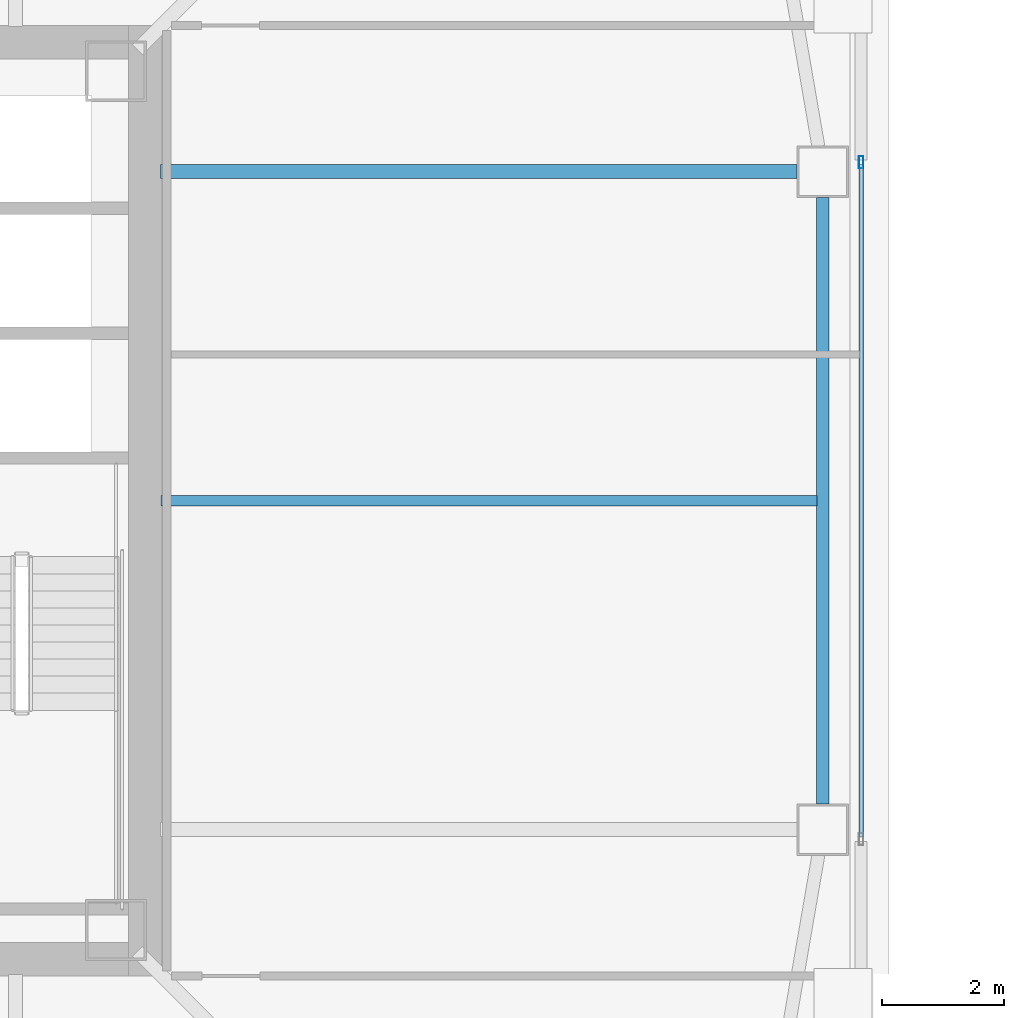
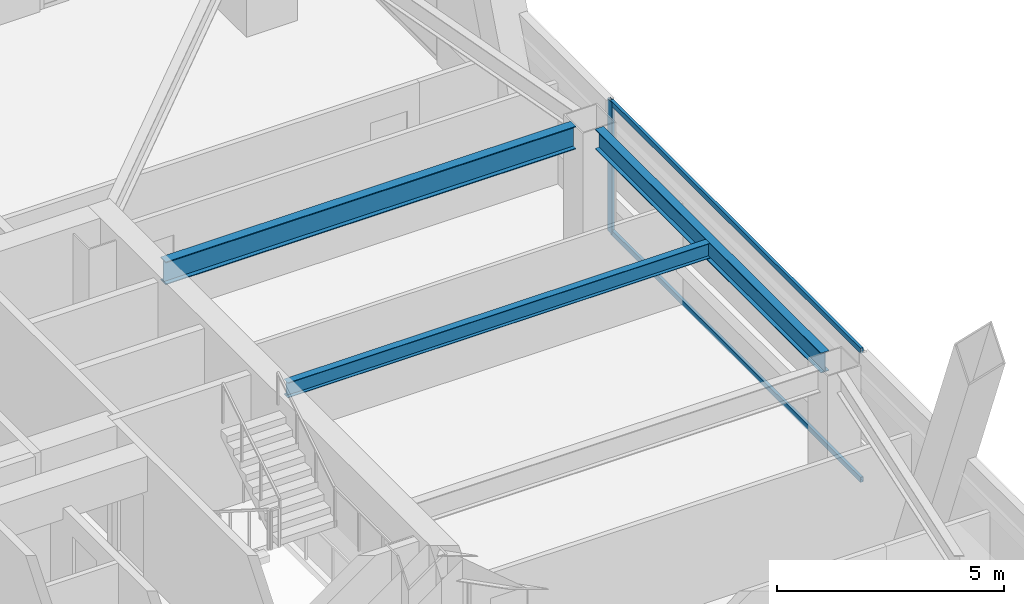
# One storey, part 15 of 54: 3 beams, 3 members, 1 element without a shape of its own.
"""IFC4 building model written with IfcOpenShell, lengths in metres."""

from ifc_helpers import new_model, si_unit, direction, frame, origin, origin_2d, place, context, subcontext, project, spatial, hollow_rectangle, i_section, extrude, material, material_profile, profile_set, type_object, element, aggregate, save


model = new_model("IFC4")

# Units and contexts
model_context = context("Model", 3, precision=1e-05, world=origin(), true_north=direction((0.0, 1.0)))
body_context = subcontext(model_context, "Body", "Model", "MODEL_VIEW")
ifc_project = project(units=[si_unit("LENGTHUNIT", "METRE"), si_unit("AREAUNIT", "SQUARE_METRE"), si_unit("VOLUMEUNIT", "CUBIC_METRE"), si_unit("PLANEANGLEUNIT", "RADIAN"), si_unit("MASSUNIT", "GRAM", prefix="KILO")], contexts=[model_context])

# Site, building, storey
site_placement = place(None, origin())
site = spatial("IfcSite", under=ifc_project, at=site_placement, CompositionType="ELEMENT")
building_placement = place(site_placement, origin())
building = spatial("IfcBuilding", under=site, at=building_placement, Name="Tashvorn Skyway Center", CompositionType="ELEMENT")
storey_placement = place(building_placement, frame((0.0, 0.0, 135.699951171875)))
storey = spatial("IfcBuildingStorey", under=building, at=storey_placement, Name="L36", CompositionType="ELEMENT", Elevation=135.699951171875)

# Beams
ifc_material_1 = material(Name="Steel ASTM A992 Grade 50", Category="steel")
ifc_material_profile_1 = material_profile(ifc_material_1, i_section(OverallWidth=0.22998046875, OverallDepth=0.616943359375, WebThickness=0.01318359375, FlangeThickness=0.022216796875, at=origin_2d()), Name="W24X94")
ifc_profile_set_1 = profile_set([ifc_material_profile_1], Name="Steel ASTM A992 Grade 50")
beam_type_1 = type_object("IfcBeamType", Name="BM-BEAM-W24X94", PredefinedType="BEAM", material=ifc_profile_set_1)
beam_1_placement = place(storey_placement, frame((60.22998046875, 37.39990234375, 3.0615234375), z_axis=(-1.0, 0.0, 0.0), x_axis=(0.0, -1.0, 0.0)))
element("IfcBeam", 1, at=beam_1_placement, inside=storey, type_object=beam_type_1, Name="Tower 1 L36 Primary Floor Girder FC-E2", PredefinedType="BEAM", context=body_context, shape_type="SweptSolid", body=[
    extrude(i_section(OverallWidth=0.22998046875, OverallDepth=0.616943359375, WebThickness=0.01318359375, FlangeThickness=0.022216796875, at=origin_2d()), origin(), (0.0, 0.0, 1.0), 10.449951171875),
])
ifc_material_profile_2 = material_profile(ifc_material_1, i_section(OverallWidth=0.177978515625, OverallDepth=0.406005859375, WebThickness=0.0078125, FlangeThickness=0.0126953125, at=origin_2d()), Name="W16X40")
ifc_profile_set_2 = profile_set([ifc_material_profile_2], Name="Steel ASTM A992 Grade 50")
beam_type_2 = type_object("IfcBeamType", Name="BM-JOIST-W16X40", PredefinedType="JOIST", material=ifc_profile_set_2)
beam_2_placement = place(storey_placement, frame((49.7900390625, 32.0, 3.1669921875), z_axis=(1.0, 0.0, 0.0), x_axis=(0.0, 1.0, 0.0)))
element("IfcBeam", 2, at=beam_2_placement, inside=storey, type_object=beam_type_2, Name="Tower 1 L36 Secondary Composite Joist JE", PredefinedType="JOIST", context=body_context, shape_type="SweptSolid", body=[
    extrude(i_section(OverallWidth=0.177978515625, OverallDepth=0.406005859375, WebThickness=0.0078125, FlangeThickness=0.0126953125, at=origin_2d()), origin(), (0.0, 0.0, 1.0), 10.762451171875),
])
ifc_material_profile_3 = material_profile(ifc_material_1, i_section(OverallWidth=0.2109375, OverallDepth=0.5390625, WebThickness=0.01171875, FlangeThickness=0.018798828125, at=origin_2d()), Name="W21X73")
ifc_profile_set_3 = profile_set([ifc_material_profile_3], Name="Steel ASTM A992 Grade 50")
beam_type_3 = type_object("IfcBeamType", Name="BM-SPANDREL-W21X73", PredefinedType="SPANDREL", material=ifc_profile_set_3)
beam_3_placement = place(storey_placement, frame((60.64990234375, 27.02001953125, 3.1005859375), z_axis=(0.0, 1.0, 0.0), x_axis=(-1.0, 0.0, 0.0)))
element("IfcBeam", 3, at=beam_3_placement, inside=storey, type_object=beam_type_3, Name="Tower 1 L36 Spandrel Beam 05", PredefinedType="SPANDREL", context=body_context, shape_type="SweptSolid", body=[
    extrude(i_section(OverallWidth=0.2109375, OverallDepth=0.5390625, WebThickness=0.01171875, FlangeThickness=0.018798828125, at=origin_2d()), origin(), (0.0, 0.0, 1.0), 9.9599609375),
])

# Curtain wall, members
ifc_material_2 = material(Name="Thermally broken bronze-anodized aluminium 6063-T6", Category="aluminium")
curtain_wall_type = type_object("IfcCurtainWallType", Name="CW-CW-Z3", PredefinedType="NOTDEFINED", material=ifc_material_2)
curtain_wall_placement = place(storey_placement, origin())
curtain_wall = element("IfcCurtainWall", 4, at=curtain_wall_placement, inside=storey, type_object=curtain_wall_type, Name="Tower 1 L36 East Unitised Curtain Wall Glazing Group 2", PredefinedType="NOTDEFINED")
ifc_material_profile_4 = material_profile(ifc_material_2, hollow_rectangle(XDim=0.074951171875, YDim=0.199951171875, WallThickness=0.00439453125, at=origin_2d()), Name="ALU-MULL-75x200")
ifc_profile_set_4 = profile_set([ifc_material_profile_4], Name="Thermally broken bronze-anodized aluminium 6063-T6")
member_type_1 = type_object("IfcMemberType", Name="CWM-CW-Z3", PredefinedType="MULLION", material=ifc_profile_set_4)
member_1_placement = place(storey_placement, frame((61.280029296875, 37.555908203125, 0.0), z_axis=(0.0, 0.0, 1.0), x_axis=(1.0, 0.0, 0.0)))
member_1 = element("IfcMember", 5, at=member_1_placement, type_object=member_type_1, Name="CW-Z3 mullion 1", PredefinedType="MULLION", context=body_context, shape_type="SweptSolid", body=[
    extrude(hollow_rectangle(XDim=0.074951171875, YDim=0.199951171875, WallThickness=0.00439453125, at=origin_2d()), origin(), (0.0, 0.0, 1.0), 3.550048828125),
])
ifc_material_profile_5 = material_profile(ifc_material_2, hollow_rectangle(XDim=0.074951171875, YDim=0.139892578125, WallThickness=0.004150390625, at=origin_2d()), Name="ALU-TRAN-75x140")
ifc_profile_set_5 = profile_set([ifc_material_profile_5], Name="Thermally broken bronze-anodized aluminium 6063-T6")
member_type_2 = type_object("IfcMemberType", Name="CWT-CW-Z3", PredefinedType="USERDEFINED", material=ifc_profile_set_5)
member_2_placement = place(storey_placement, frame((61.280029296875, 37.518310546875, 0.03759765625), z_axis=(0.0, -1.0, 0.0), x_axis=(1.0, 0.0, 0.0)))
member_2 = element("IfcMember", 6, at=member_2_placement, type_object=member_type_2, Name="CW-Z3 transom 1.1", ObjectType="TRANSOM", PredefinedType="USERDEFINED", context=body_context, shape_type="SweptSolid", body=[
    extrude(hollow_rectangle(XDim=0.074951171875, YDim=0.139892578125, WallThickness=0.004150390625, at=origin_2d()), origin(), (0.0, 0.0, 1.0), 11.03662109375),
])
member_3_placement = place(storey_placement, frame((61.280029296875, 37.518310546875, 3.512451171875), z_axis=(0.0, -1.0, 0.0), x_axis=(1.0, 0.0, 0.0)))
member_3 = element("IfcMember", 7, at=member_3_placement, type_object=member_type_2, Name="CW-Z3 transom 1.2", ObjectType="TRANSOM", PredefinedType="USERDEFINED", context=body_context, shape_type="SweptSolid", body=[
    extrude(hollow_rectangle(XDim=0.074951171875, YDim=0.139892578125, WallThickness=0.004150390625, at=origin_2d()), origin(), (0.0, 0.0, 1.0), 11.03662109375),
])
aggregate(curtain_wall, [member_1, member_2, member_3])

save(model, "model.ifc")
